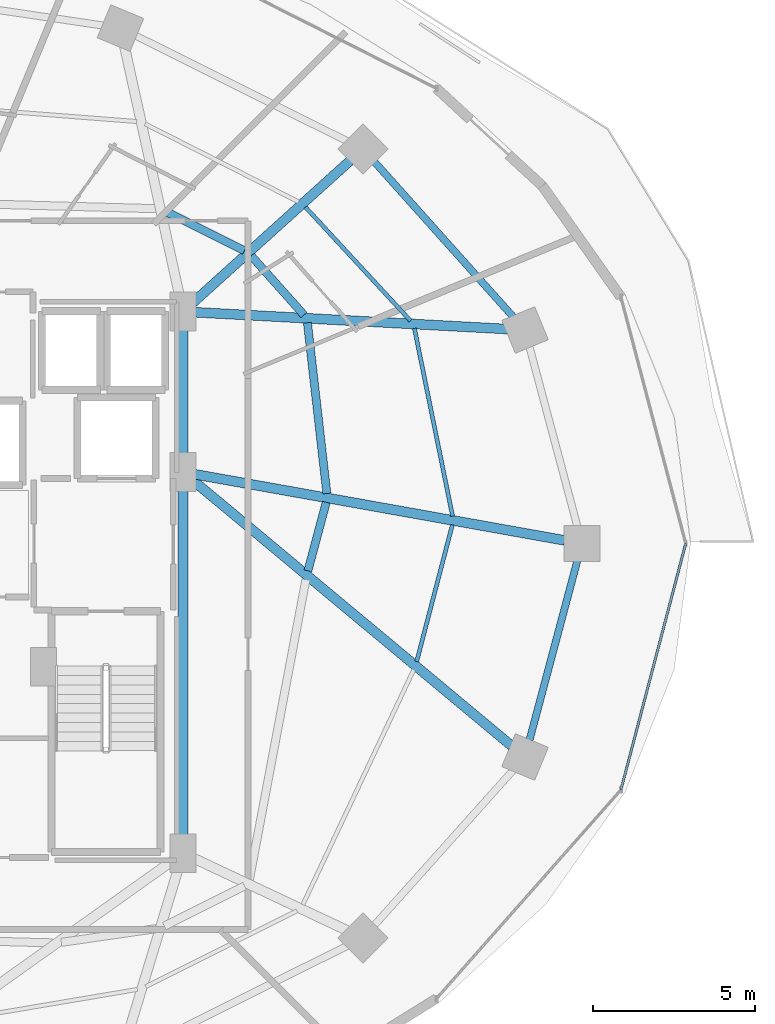
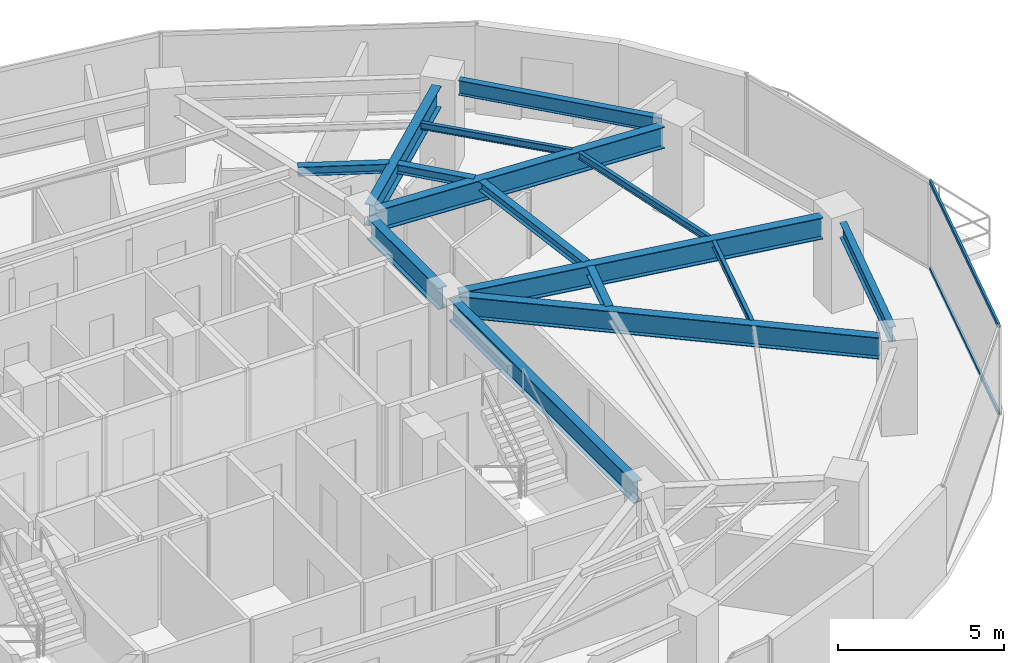
# One storey, part 15 of 31: 15 beams, 2 members, 1 element without a shape of its own.
"""IFC4 building model written with IfcOpenShell, lengths in metres."""

from ifc_helpers import new_model, si_unit, direction, frame, origin, origin_2d, place, context, subcontext, project, spatial, hollow_rectangle, i_section, extrude, material, material_profile, profile_set, type_object, element, aggregate, save


model = new_model("IFC4")

# Units and contexts
model_context = context("Model", 3, precision=1e-05, world=origin(), true_north=direction((0.0, 1.0)))
body_context = subcontext(model_context, "Body", "Model", "MODEL_VIEW")
ifc_project = project(units=[si_unit("LENGTHUNIT", "METRE"), si_unit("AREAUNIT", "SQUARE_METRE"), si_unit("VOLUMEUNIT", "CUBIC_METRE"), si_unit("PLANEANGLEUNIT", "RADIAN"), si_unit("MASSUNIT", "GRAM", prefix="KILO")], contexts=[model_context])

# Site, building, storey
site_placement = place(None, origin())
site = spatial("IfcSite", under=ifc_project, at=site_placement, CompositionType="ELEMENT")
building_placement = place(site_placement, origin())
building = spatial("IfcBuilding", under=site, at=building_placement, Name="Vorneva Point Tower", CompositionType="ELEMENT")
storey_placement = place(building_placement, frame((0.0, 0.0, 99.800048828125)))
storey = spatial("IfcBuildingStorey", under=building, at=storey_placement, Name="L26", CompositionType="ELEMENT", Elevation=99.800048828125)

# Beams
ifc_material_1 = material(Name="Steel S355", Category="steel")
ifc_material_profile_1 = material_profile(ifc_material_1, i_section(OverallWidth=0.300048828125, OverallDepth=0.7880859375, WebThickness=0.014404296875, FlangeThickness=0.02197265625, at=origin_2d()), Name="80Sh1")
ifc_profile_set_1 = profile_set([ifc_material_profile_1], Name="Steel S355")
beam_type_1 = type_object("IfcBeamType", Name="BM-GRD-80Sh1", PredefinedType="USERDEFINED", material=ifc_profile_set_1)
beam_1_placement = place(storey_placement, frame((60.5205078125, 26.0947265625, 2.845947265625), z_axis=(-0.984378310682, 0.176066298476, 0.0), x_axis=(-0.176066298476, -0.984378310682, 0.0)))
element("IfcBeam", 1, at=beam_1_placement, inside=storey, type_object=beam_type_1, Name="L26 Radial Primary Girder 01", ObjectType="GIRDER", PredefinedType="USERDEFINED", context=body_context, shape_type="SweptSolid", body=[
    extrude(i_section(OverallWidth=0.300048828125, OverallDepth=0.7880859375, WebThickness=0.014404296875, FlangeThickness=0.02197265625, at=origin_2d()), origin(), (0.0, 0.0, 1.0), 11.6171875),
])
beam_2_placement = place(storey_placement, frame((58.75830078125, 32.611083984375, 2.845947265625), z_axis=(-0.998554075878, 0.053756465161, 0.0), x_axis=(-0.053756465161, -0.998554075878, 0.0)))
element("IfcBeam", 2, at=beam_2_placement, inside=storey, type_object=beam_type_1, Name="L26 Radial Primary Girder 02", ObjectType="GIRDER", PredefinedType="USERDEFINED", context=body_context, shape_type="SweptSolid", body=[
    extrude(i_section(OverallWidth=0.300048828125, OverallDepth=0.7880859375, WebThickness=0.014404296875, FlangeThickness=0.02197265625, at=origin_2d()), origin(), (0.0, 0.0, 1.0), 9.6826171875),
])
beam_3_placement = place(storey_placement, frame((53.899658203125, 37.801513671875, 2.845947265625), z_axis=(-0.742097300344, -0.670292172729, 0.0), x_axis=(0.670292172729, -0.742097300344, 0.0)))
element("IfcBeam", 3, at=beam_3_placement, inside=storey, type_object=beam_type_1, Name="L26 Radial Primary Girder 03", ObjectType="GIRDER", PredefinedType="USERDEFINED", context=body_context, shape_type="SweptSolid", body=[
    extrude(i_section(OverallWidth=0.300048828125, OverallDepth=0.7880859375, WebThickness=0.014404296875, FlangeThickness=0.02197265625, at=origin_2d()), origin(), (0.0, 0.0, 1.0), 6.599365234375),
])
beam_4_placement = place(storey_placement, frame((58.882080078125, 19.76220703125, 2.845947265625), z_axis=(-0.768431550428, 0.639931990376, 0.0), x_axis=(-0.639931990376, -0.768431550428, 0.0)))
element("IfcBeam", 4, at=beam_4_placement, inside=storey, type_object=beam_type_1, Name="L26 Radial Primary Girder 16", ObjectType="GIRDER", PredefinedType="USERDEFINED", context=body_context, shape_type="SweptSolid", body=[
    extrude(i_section(OverallWidth=0.300048828125, OverallDepth=0.7880859375, WebThickness=0.014404296875, FlangeThickness=0.02197265625, at=origin_2d()), origin(), (0.0, 0.0, 1.0), 12.845458984375),
])
beam_5_placement = place(storey_placement, frame((48.75, 16.77001953125, 2.845947265625), z_axis=(0.0, 1.0, 0.0), x_axis=(-1.0, 0.0, 0.0)))
element("IfcBeam", 5, at=beam_5_placement, inside=storey, type_object=beam_type_1, Name="L26 Core Tie Girder CT3", ObjectType="GIRDER", PredefinedType="USERDEFINED", context=body_context, shape_type="SweptSolid", body=[
    extrude(i_section(OverallWidth=0.300048828125, OverallDepth=0.7880859375, WebThickness=0.014404296875, FlangeThickness=0.02197265625, at=origin_2d()), origin(), (0.0, 0.0, 1.0), 11.10986328125),
])
beam_6_placement = place(storey_placement, frame((48.75, 28.52001953125, 2.845947265625), z_axis=(0.0, 1.0, 0.0), x_axis=(-1.0, 0.0, 0.0)))
element("IfcBeam", 6, at=beam_6_placement, inside=storey, type_object=beam_type_1, Name="L26 Core Tie Girder CT4", ObjectType="GIRDER", PredefinedType="USERDEFINED", context=body_context, shape_type="SweptSolid", body=[
    extrude(i_section(OverallWidth=0.300048828125, OverallDepth=0.7880859375, WebThickness=0.014404296875, FlangeThickness=0.02197265625, at=origin_2d()), origin(), (0.0, 0.0, 1.0), 4.31005859375),
])
ifc_material_profile_2 = material_profile(ifc_material_1, i_section(OverallWidth=0.1240234375, OverallDepth=0.248046875, WebThickness=0.0048828125, FlangeThickness=0.008056640625, at=origin_2d()), Name="25B1")
ifc_profile_set_2 = profile_set([ifc_material_profile_2], Name="Steel S355")
beam_type_2 = type_object("IfcBeamType", Name="BM-JST-25B1", PredefinedType="JOIST", material=ifc_profile_set_2)
beam_7_placement = place(storey_placement, frame((57.062255859375, 26.843505859375, 3.115966796875), z_axis=(-0.199294352555, 0.979939672143, 0.0), x_axis=(-0.979939672143, -0.199294352555, 0.0)))
element("IfcBeam", 7, at=beam_7_placement, inside=storey, type_object=beam_type_2, Name="L26 Secondary Floor Beam 1.01", PredefinedType="JOIST", context=body_context, shape_type="SweptSolid", body=[
    extrude(i_section(OverallWidth=0.1240234375, OverallDepth=0.248046875, WebThickness=0.0048828125, FlangeThickness=0.008056640625, at=origin_2d()), origin(), (0.0, 0.0, 1.0), 5.906982421875),
])
beam_8_placement = place(storey_placement, frame((55.763916015625, 32.86865234375, 3.115966796875), z_axis=(-0.678811075328, 0.734312960537, 0.0), x_axis=(-0.734312960537, -0.678811075328, 0.0)))
element("IfcBeam", 8, at=beam_8_placement, inside=storey, type_object=beam_type_2, Name="L26 Secondary Floor Beam 1.02", PredefinedType="JOIST", context=body_context, shape_type="SweptSolid", body=[
    extrude(i_section(OverallWidth=0.1240234375, OverallDepth=0.248046875, WebThickness=0.0048828125, FlangeThickness=0.008056640625, at=origin_2d()), origin(), (0.0, 0.0, 1.0), 4.772705078125),
])
beam_9_placement = place(storey_placement, frame((55.95556640625, 22.36181640625, 3.115966796875), z_axis=(0.252497222917, 0.967597619065, 0.0), x_axis=(-0.967597619065, 0.252497222917, 0.0)))
element("IfcBeam", 9, at=beam_9_placement, inside=storey, type_object=beam_type_2, Name="L26 Secondary Floor Beam 1.16", PredefinedType="JOIST", context=body_context, shape_type="SweptSolid", body=[
    extrude(i_section(OverallWidth=0.1240234375, OverallDepth=0.248046875, WebThickness=0.0048828125, FlangeThickness=0.008056640625, at=origin_2d()), origin(), (0.0, 0.0, 1.0), 4.35400390625),
])
ifc_material_profile_3 = material_profile(ifc_material_1, i_section(OverallWidth=0.2490234375, OverallDepth=0.333984375, WebThickness=0.008056640625, FlangeThickness=0.010986328125, at=origin_2d()), Name="35Sh1")
ifc_profile_set_3 = profile_set([ifc_material_profile_3], Name="Steel S355")
beam_type_3 = type_object("IfcBeamType", Name="BM-SEC-35Sh1", PredefinedType="BEAM", material=ifc_profile_set_3)
beam_10_placement = place(storey_placement, frame((53.185791015625, 27.541015625, 3.072998046875), z_axis=(-0.113176336235, 0.993574917616, 0.0), x_axis=(-0.993574917616, -0.113176336235, 0.0)))
element("IfcBeam", 10, at=beam_10_placement, inside=storey, type_object=beam_type_3, Name="L26 Secondary Floor Beam 2.01", PredefinedType="BEAM", context=body_context, shape_type="SweptSolid", body=[
    extrude(i_section(OverallWidth=0.2490234375, OverallDepth=0.333984375, WebThickness=0.008056640625, FlangeThickness=0.010986328125, at=origin_2d()), origin(), (0.0, 0.0, 1.0), 5.300048828125),
])
beam_11_placement = place(storey_placement, frame((52.478515625, 33.04736328125, 3.072998046875), z_axis=(-0.665165430595, 0.746696022449, 0.0), x_axis=(-0.746696022449, -0.665165430595, 0.0)))
element("IfcBeam", 11, at=beam_11_placement, inside=storey, type_object=beam_type_3, Name="L26 Secondary Floor Beam 2.02", PredefinedType="BEAM", context=body_context, shape_type="SweptSolid", body=[
    extrude(i_section(OverallWidth=0.2490234375, OverallDepth=0.333984375, WebThickness=0.008056640625, FlangeThickness=0.010986328125, at=origin_2d()), origin(), (0.0, 0.0, 1.0), 2.4375),
])
beam_12_placement = place(storey_placement, frame((50.641845703125, 35.031982421875, 3.072998046875), z_axis=(-0.895505315746, 0.445050816728, 0.0), x_axis=(-0.445050816728, -0.895505315746, 0.0)))
element("IfcBeam", 12, at=beam_12_placement, inside=storey, type_object=beam_type_3, Name="L26 Secondary Floor Beam 2.03", PredefinedType="BEAM", context=body_context, shape_type="SweptSolid", body=[
    extrude(i_section(OverallWidth=0.2490234375, OverallDepth=0.333984375, WebThickness=0.008056640625, FlangeThickness=0.010986328125, at=origin_2d()), origin(), (0.0, 0.0, 1.0), 2.756103515625),
])
beam_13_placement = place(storey_placement, frame((52.600341796875, 25.156494140625, 3.072998046875), z_axis=(0.258488854847, 0.966014240019, 0.0), x_axis=(-0.966014240019, 0.258488854847, 0.0)))
element("IfcBeam", 13, at=beam_13_placement, inside=storey, type_object=beam_type_3, Name="L26 Secondary Floor Beam 2.16", PredefinedType="BEAM", context=body_context, shape_type="SweptSolid", body=[
    extrude(i_section(OverallWidth=0.2490234375, OverallDepth=0.333984375, WebThickness=0.008056640625, FlangeThickness=0.010986328125, at=origin_2d()), origin(), (0.0, 0.0, 1.0), 2.1884765625),
])
ifc_material_profile_4 = material_profile(ifc_material_1, i_section(OverallWidth=0.219970703125, OverallDepth=0.54296875, WebThickness=0.009521484375, FlangeThickness=0.013427734375, at=origin_2d()), Name="55B1")
ifc_profile_set_4 = profile_set([ifc_material_profile_4], Name="Steel S355")
beam_type_4 = type_object("IfcBeamType", Name="BM-SPN-55B1", PredefinedType="SPANDREL", material=ifc_profile_set_4)
beam_14_placement = place(storey_placement, frame((58.9384765625, 32.980712890625, 2.968505859375), z_axis=(-0.667073815664, 0.744991627105, 0.0), x_axis=(-0.744991627105, -0.667073815664, 0.0)))
element("IfcBeam", 14, at=beam_14_placement, inside=storey, type_object=beam_type_4, Name="L26 Perimeter Spandrel Ring Beam 02", PredefinedType="SPANDREL", context=body_context, shape_type="SweptSolid", body=[
    extrude(i_section(OverallWidth=0.219970703125, OverallDepth=0.54296875, WebThickness=0.009521484375, FlangeThickness=0.013427734375, at=origin_2d()), origin(), (0.0, 0.0, 1.0), 6.420166015625),
])
beam_15_placement = place(storey_placement, frame((59.43310546875, 19.934814453125, 2.968505859375), z_axis=(0.257572674071, 0.966258928845, 0.0), x_axis=(-0.966258928845, 0.257572674071, 0.0)))
element("IfcBeam", 15, at=beam_15_placement, inside=storey, type_object=beam_type_4, Name="L26 Perimeter Spandrel Ring Beam 16", PredefinedType="SPANDREL", context=body_context, shape_type="SweptSolid", body=[
    extrude(i_section(OverallWidth=0.219970703125, OverallDepth=0.54296875, WebThickness=0.009521484375, FlangeThickness=0.013427734375, at=origin_2d()), origin(), (0.0, 0.0, 1.0), 5.7421875),
])

# Curtain wall, members
ifc_material_2 = material(Name="Pale anodised aluminium", Category="aluminium")
curtain_wall_type = type_object("IfcCurtainWallType", Name="CW-HTL-SYS", PredefinedType="NOTDEFINED", material=ifc_material_2)
curtain_wall_placement = place(storey_placement, origin())
curtain_wall = element("IfcCurtainWall", 16, at=curtain_wall_placement, inside=storey, type_object=curtain_wall_type, Name="L26 Unitised Curtain Wall CW-L26-R01", PredefinedType="NOTDEFINED")
ifc_material_profile_5 = material_profile(ifc_material_2, hollow_rectangle(XDim=0.074951171875, YDim=0.14990234375, WallThickness=0.00390625, at=origin_2d()), Name="AL-TRN 150x75x4")
ifc_profile_set_5 = profile_set([ifc_material_profile_5], Name="Pale anodised aluminium")
member_type = type_object("IfcMemberType", Name="CW-TRN-150", PredefinedType="USERDEFINED", material=ifc_profile_set_5)
member_1_placement = place(storey_placement, frame((62.251708984375, 18.40380859375, 0.02001953125), z_axis=(0.254409150465, 0.967096677773, 0.0), x_axis=(-0.967096677773, 0.254409150465, 0.0)))
member_1 = element("IfcMember", 17, at=member_1_placement, type_object=member_type, Name="CW-L26-R01 Transom 02.1", ObjectType="TRANSOM", PredefinedType="USERDEFINED", context=body_context, shape_type="SweptSolid", body=[
    extrude(hollow_rectangle(XDim=0.074951171875, YDim=0.14990234375, WallThickness=0.00390625, at=origin_2d()), origin(), (0.0, 0.0, 1.0), 7.854736328125),
])
member_2_placement = place(storey_placement, frame((62.251708984375, 18.40380859375, 3.219970703125), z_axis=(0.254409150465, 0.967096677773, 0.0), x_axis=(-0.967096677773, 0.254409150465, 0.0)))
member_2 = element("IfcMember", 18, at=member_2_placement, type_object=member_type, Name="CW-L26-R01 Transom 02.2", ObjectType="TRANSOM", PredefinedType="USERDEFINED", context=body_context, shape_type="SweptSolid", body=[
    extrude(hollow_rectangle(XDim=0.074951171875, YDim=0.14990234375, WallThickness=0.00390625, at=origin_2d()), origin(), (0.0, 0.0, 1.0), 7.854736328125),
])
aggregate(curtain_wall, [member_1, member_2])

save(model, "model.ifc")
